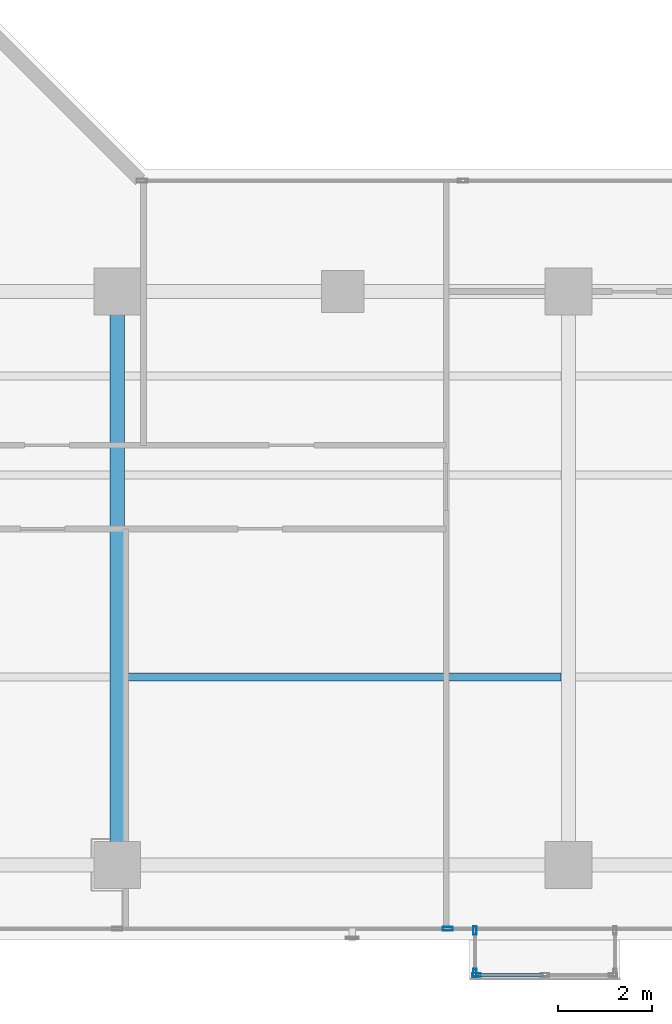
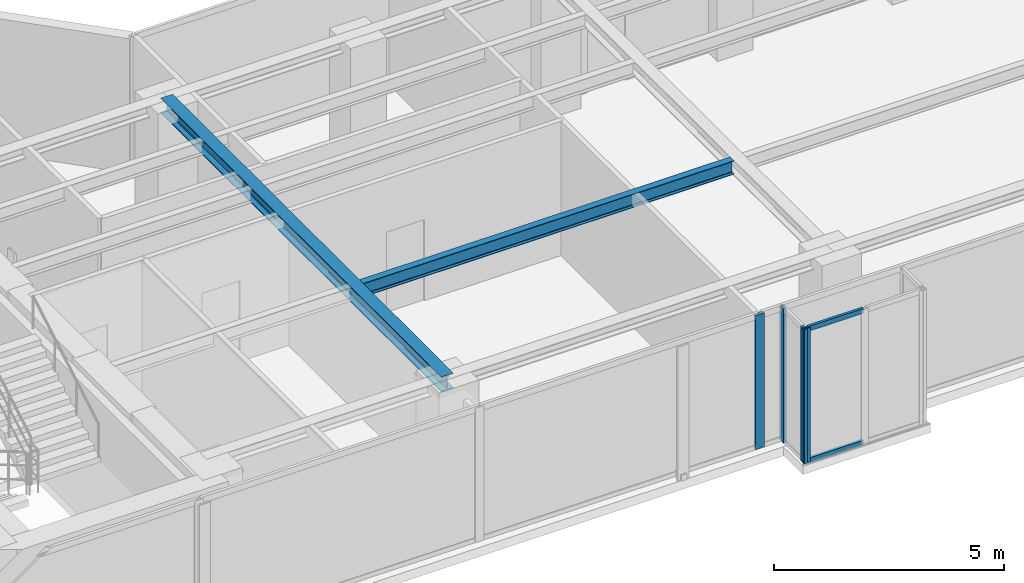
# One storey, part 5 of 24: 6 members, 2 beams, 3 elements without a shape of their own.
"""IFC4 building model written with IfcOpenShell, lengths in metres."""

from ifc_helpers import new_model, si_unit, direction, frame, origin, origin_with_axes, origin_2d, place, context, subcontext, project, spatial, hollow_rectangle, i_section, extrude, source, transform, mapped, material, layer, layer_set, material_profile, profile_set, type_object, element, aggregate, save


model = new_model("IFC4")

# Units and contexts
model_context = context("Model", 3, precision=1e-05, world=origin(), true_north=direction((0.0, 1.0)))
body_context = subcontext(model_context, "Body", "Model", "MODEL_VIEW")
ifc_project = project(units=[si_unit("LENGTHUNIT", "METRE"), si_unit("AREAUNIT", "SQUARE_METRE"), si_unit("VOLUMEUNIT", "CUBIC_METRE"), si_unit("PLANEANGLEUNIT", "RADIAN"), si_unit("MASSUNIT", "GRAM", prefix="KILO")], contexts=[model_context])

# Site, building, storey
site_placement = place(None, origin())
site = spatial("IfcSite", under=ifc_project, at=site_placement, CompositionType="ELEMENT")
building_placement = place(site_placement, origin())
building = spatial("IfcBuilding", under=site, at=building_placement, Name="Kolvaren Waterfront Exchange", CompositionType="ELEMENT")
storey_placement = place(building_placement, frame((0.0, 0.0, 238.699951171875)))
storey = spatial("IfcBuildingStorey", under=building, at=storey_placement, Name="L61", CompositionType="ELEMENT", Elevation=238.699951171875)

# Beams
ifc_material_1 = material(Name="Steel S355", Category="steel")
ifc_material_profile_1 = material_profile(ifc_material_1, i_section(OverallWidth=0.300048828125, OverallDepth=0.39990234375, WebThickness=0.013427734375, FlangeThickness=0.02392578125, FilletRadius=0.027099609375, at=origin_2d()), Name="HEB400")
ifc_profile_set_1 = profile_set([ifc_material_profile_1], Name="Steel S355")
beam_type_1 = type_object("IfcBeamType", Name="STR-BM-HEB400", PredefinedType="BEAM", material=ifc_profile_set_1)
beam_1_placement = place(storey_placement, frame((27.199951171875, 5.199951171875, 3.360107421875), z_axis=(0.0, 1.0, 0.0), x_axis=(-1.0, 0.0, 0.0)))
element("IfcBeam", 1, at=beam_1_placement, inside=storey, type_object=beam_type_1, Name="L61 east-arm transverse girder X27", PredefinedType="BEAM", context=body_context, shape_type="SweptSolid", body=[
    extrude(i_section(OverallWidth=0.300048828125, OverallDepth=0.39990234375, WebThickness=0.013427734375, FlangeThickness=0.02392578125, FilletRadius=0.027099609375, at=origin_2d()), origin(), (0.0, 0.0, 1.0), 12.199951171875),
])
ifc_material_profile_2 = material_profile(ifc_material_1, i_section(OverallWidth=0.169921875, OverallDepth=0.360107421875, WebThickness=0.008056640625, FlangeThickness=0.0126953125, FilletRadius=0.01806640625, at=origin_2d()), Name="IPE360")
ifc_profile_set_2 = profile_set([ifc_material_profile_2], Name="Steel S355")
beam_type_2 = type_object("IfcBeamType", Name="STR-BM-IPE360", PredefinedType="JOIST", material=ifc_profile_set_2)
beam_2_placement = place(storey_placement, frame((27.35205078125, 9.199951171875, 3.380126953125), z_axis=(1.0, 0.0, 0.0), x_axis=(0.0, 1.0, 0.0)))
element("IfcBeam", 2, at=beam_2_placement, inside=storey, type_object=beam_type_2, Name="L61 east-arm composite joist 2B", PredefinedType="JOIST", context=body_context, shape_type="SweptSolid", body=[
    extrude(i_section(OverallWidth=0.169921875, OverallDepth=0.360107421875, WebThickness=0.008056640625, FlangeThickness=0.0126953125, FilletRadius=0.01806640625, at=origin_2d()), origin(), (0.0, 0.0, 1.0), 9.2958984375),
])

# Curtain wall, members
ifc_material_2 = material(Name="Anodised bronze aluminium 6063-T6", Category="aluminium")
ifc_layer_1 = layer(ifc_material_2, 0.219970703125, Name="Anodised bronze aluminium 6063-T6")
ifc_layer_set_1 = layer_set([ifc_layer_1], Name="Anodised bronze aluminium 6063-T6")
curtain_wall_type_1 = type_object("IfcCurtainWallType", Name="ARC-CW-SYS3", PredefinedType="USERDEFINED", material=ifc_layer_set_1)
curtain_wall_1_placement = place(storey_placement, origin())
curtain_wall_1 = element("IfcCurtainWall", 3, at=curtain_wall_1_placement, inside=storey, type_object=curtain_wall_type_1, Name="L61 stick curtain wall CW3 (CW-L61-BOX)", ObjectType="STICK CURTAIN WALL", PredefinedType="USERDEFINED")
ifc_material_profile_3 = material_profile(ifc_material_2, hollow_rectangle(XDim=0.06494140625, YDim=0.1298828125, WallThickness=0.00390625, at=origin_2d()), Name="ALU-TRN-130x65x4")
ifc_profile_set_3 = profile_set([ifc_material_profile_3], Name="Anodised bronze aluminium 6063-T6")
member_type_1 = type_object("IfcMemberType", Name="ARC-CWT-130", PredefinedType="USERDEFINED", material=ifc_profile_set_3)
shared_shape_1 = source(origin_with_axes(), body_context, "Body", "SweptSolid", [
    extrude(hollow_rectangle(XDim=0.06494140625, YDim=0.1298828125, WallThickness=0.00390625, at=origin_2d()), origin(), (0.0, 0.0, 1.0), 1.37744140625),
])
member_1_placement = place(storey_placement, frame((34.885009765625, 2.860107421875, 0.032470703125), z_axis=(1.0, 0.0, 0.0), x_axis=(0.0, 1.0, 0.0)))
member_1 = element("IfcMember", 4, at=member_1_placement, type_object=member_type_1, Name="CW3 transom 1.1", ObjectType="TRANSOM", PredefinedType="USERDEFINED", context=body_context, shape_type="MappedRepresentation", body=[
    mapped(shared_shape_1, transform((0.0, 0.0, 0.0), x_axis=(1.0, 0.0, 0.0), y_axis=(0.0, 1.0, 0.0), z_axis=(0.0, 0.0, 1.0), scale=1.0)),
])
member_2_placement = place(storey_placement, frame((34.885009765625, 2.860107421875, 3.527587890625), z_axis=(1.0, 0.0, 0.0), x_axis=(0.0, 1.0, 0.0)))
member_2 = element("IfcMember", 5, at=member_2_placement, type_object=member_type_1, Name="CW3 transom 1.2", ObjectType="TRANSOM", PredefinedType="USERDEFINED", context=body_context, shape_type="MappedRepresentation", body=[
    mapped(shared_shape_1, transform((0.0, 0.0, 0.0), x_axis=(1.0, 0.0, 0.0), y_axis=(0.0, 1.0, 0.0), z_axis=(0.0, 0.0, 1.0), scale=1.0)),
])

curtain_wall_2_placement = place(storey_placement, origin())
curtain_wall_2 = element("IfcCurtainWall", 6, at=curtain_wall_2_placement, inside=storey, type_object=curtain_wall_type_1, Name="L61 stick curtain wall CW3 (CW-L61-BOX-W)", ObjectType="STICK CURTAIN WALL", PredefinedType="USERDEFINED")
ifc_material_profile_4 = material_profile(ifc_material_2, hollow_rectangle(XDim=0.074951171875, YDim=0.179931640625, WallThickness=0.00439453125, at=origin_2d()), Name="ALU-MUL-180x75x4.5")
ifc_profile_set_4 = profile_set([ifc_material_profile_4], Name="Anodised bronze aluminium 6063-T6")
member_type_2 = type_object("IfcMemberType", Name="ARC-CWM-180", PredefinedType="MULLION", material=ifc_profile_set_4)
shared_shape_2 = source(origin_with_axes(), body_context, "Body", "SweptSolid", [
    extrude(hollow_rectangle(XDim=0.074951171875, YDim=0.179931640625, WallThickness=0.00439453125, at=origin_2d()), origin(), (0.0, 0.0, 1.0), 3.56005859375),
])
member_3_placement = place(storey_placement, frame((34.81005859375, 3.802490234375, 0.0), z_axis=(0.0, 0.0, 1.0), x_axis=(1.0, 0.0, 0.0)))
member_3 = element("IfcMember", 7, at=member_3_placement, type_object=member_type_2, Name="CW3 mullion 1", PredefinedType="MULLION", context=body_context, shape_type="MappedRepresentation", body=[
    mapped(shared_shape_2, transform((0.0, 0.0, 0.0), x_axis=(1.0, 0.0, 0.0), y_axis=(0.0, 1.0, 0.0), z_axis=(0.0, 0.0, 1.0), scale=1.0)),
])
member_4_placement = place(storey_placement, frame((34.81005859375, 2.8974609375, 0.0), z_axis=(0.0, 0.0, 1.0), x_axis=(1.0, 0.0, 0.0)))
member_4 = element("IfcMember", 8, at=member_4_placement, type_object=member_type_2, Name="CW3 mullion 2", PredefinedType="MULLION", context=body_context, shape_type="MappedRepresentation", body=[
    mapped(shared_shape_2, transform((0.0, 0.0, 0.0), x_axis=(1.0, 0.0, 0.0), y_axis=(0.0, 1.0, 0.0), z_axis=(0.0, 0.0, 1.0), scale=1.0)),
])
aggregate(curtain_wall_2, [member_3, member_4])

# Member
member_5_placement = place(storey_placement, frame((34.847412109375, 2.860107421875, 0.0), z_axis=(0.0, 0.0, 1.0), x_axis=(0.0, 1.0, 0.0)))
member_5 = element("IfcMember", 9, at=member_5_placement, type_object=member_type_2, Name="CW3 mullion 1", PredefinedType="MULLION", context=body_context, shape_type="MappedRepresentation", body=[
    mapped(shared_shape_2, transform((0.0, 0.0, 0.0), x_axis=(1.0, 0.0, 0.0), y_axis=(0.0, 1.0, 0.0), z_axis=(0.0, 0.0, 1.0), scale=1.0)),
])

aggregate(curtain_wall_1, [member_5, member_1, member_2])

# Curtain wall, member
ifc_layer_2 = layer(ifc_material_2, 0.219970703125, Name="Anodised bronze aluminium 6063-T6")
ifc_layer_set_2 = layer_set([ifc_layer_2], Name="Anodised bronze aluminium 6063-T6")
curtain_wall_type_2 = type_object("IfcCurtainWallType", Name="ARC-CW-SYS1", PredefinedType="USERDEFINED", material=ifc_layer_set_2)
curtain_wall_3_placement = place(storey_placement, origin())
curtain_wall_3 = element("IfcCurtainWall", 10, at=curtain_wall_3_placement, inside=storey, type_object=curtain_wall_type_2, Name="L61 stick curtain wall CW1 (CW-L61-S)", ObjectType="STICK CURTAIN WALL", PredefinedType="USERDEFINED")
ifc_material_3 = material(Name="Anodised aluminium 6063-T6", Category="aluminium")
ifc_material_profile_5 = material_profile(ifc_material_3, hollow_rectangle(XDim=0.080078125, YDim=0.219970703125, WallThickness=0.0048828125, at=origin_2d()), Name="ALU-MUL-220x80x5")
ifc_profile_set_5 = profile_set([ifc_material_profile_5], Name="Anodised aluminium 6063-T6")
member_type_3 = type_object("IfcMemberType", Name="ARC-CWM-220", PredefinedType="MULLION", material=ifc_profile_set_5)
shared_shape_3 = source(origin_with_axes(), body_context, "Body", "SweptSolid", [
    extrude(hollow_rectangle(XDim=0.080078125, YDim=0.219970703125, WallThickness=0.0048828125, at=origin_2d()), origin(), (0.0, 0.0, 1.0), 3.56005859375),
])
member_6_placement = place(storey_placement, frame((34.2333984375, 3.840087890625, 0.0), z_axis=(0.0, 0.0, 1.0), x_axis=(0.0, 1.0, 0.0)))
member_6 = element("IfcMember", 11, at=member_6_placement, type_object=member_type_3, Name="CW1 mullion 5", PredefinedType="MULLION", context=body_context, shape_type="MappedRepresentation", body=[
    mapped(shared_shape_3, transform((0.0, 0.0, 0.0), x_axis=(1.0, 0.0, 0.0), y_axis=(0.0, 1.0, 0.0), z_axis=(0.0, 0.0, 1.0), scale=1.0)),
])
aggregate(curtain_wall_3, [member_6])

save(model, "model.ifc")
